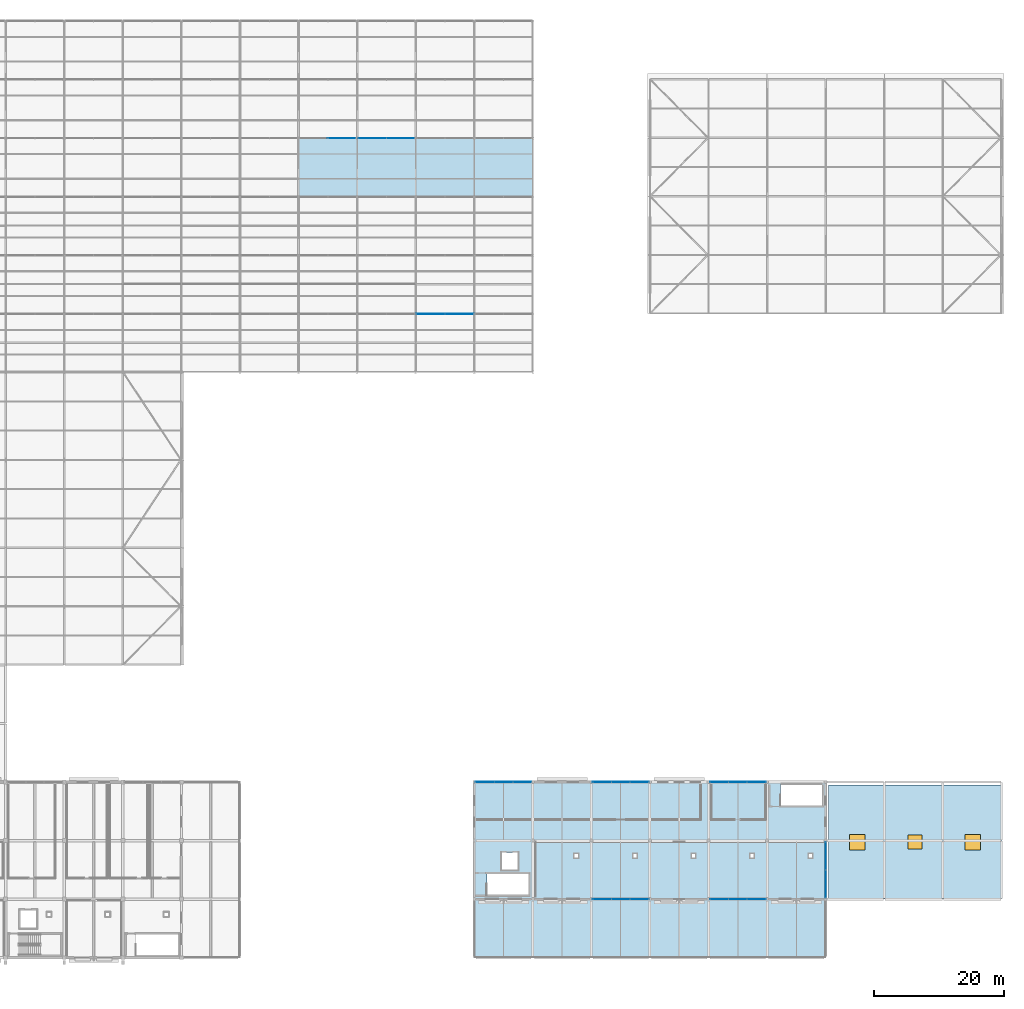
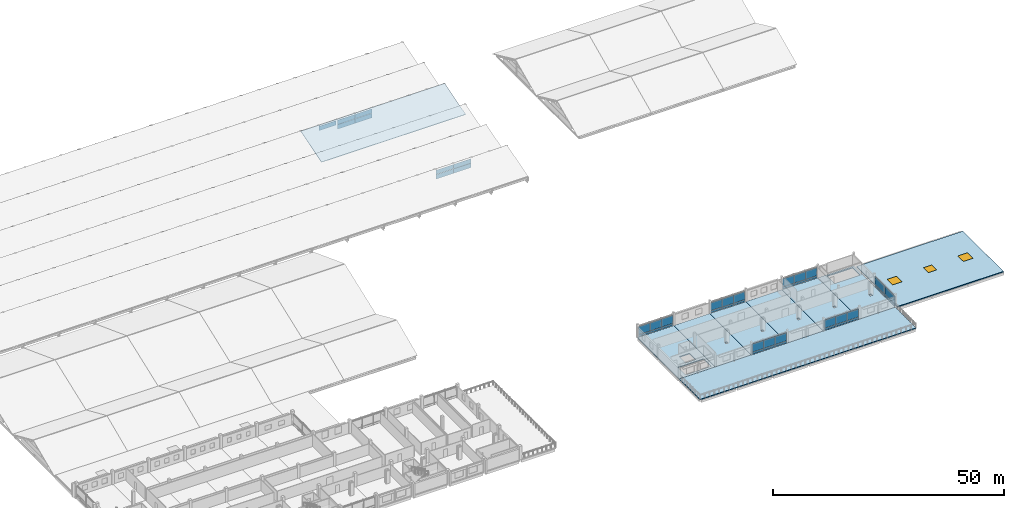
# One storey, part 113 of 163: 43 plates, 9 slabs, 3 windows, 3 openings, 9 elements without a shape of their own.
"""IFC4 building model written with IfcOpenShell, lengths in metres."""

from ifc_helpers import new_model, si_unit, direction, frame, origin, origin_2d, place, context, subcontext, project, spatial, polyline, rectangle, outline, extrude, material, layer, layer_set, type_object, element, fill, aggregate, save


model = new_model("IFC4")

# Units and contexts
model_context = context("Model", 3, precision=1e-05, world=origin(), true_north=direction((0.0, 1.0)))
body_context = subcontext(model_context, "Body", "Model", "MODEL_VIEW")
ifc_project = project(units=[si_unit("LENGTHUNIT", "METRE"), si_unit("AREAUNIT", "SQUARE_METRE"), si_unit("VOLUMEUNIT", "CUBIC_METRE"), si_unit("PLANEANGLEUNIT", "RADIAN"), si_unit("MASSUNIT", "GRAM", prefix="KILO")], contexts=[model_context])

# Site, building, storey
site_placement = place(None, origin())
site = spatial("IfcSite", under=ifc_project, at=site_placement, CompositionType="ELEMENT")
building_placement = place(site_placement, origin())
building = spatial("IfcBuilding", under=site, at=building_placement, Name="Tharagai Park Tramway Depot", CompositionType="ELEMENT")
storey_placement = place(building_placement, frame((0.0, 0.0, 8.39990234375)))
storey = spatial("IfcBuildingStorey", under=building, at=storey_placement, Name="L02", CompositionType="ELEMENT", Elevation=8.39990234375)

# Curtain wall, plates
ifc_material_1 = material(Name="Anodised aluminium", Category="aluminium")
curtain_wall_type_1 = type_object("IfcCurtainWallType", Name="CW-02", PredefinedType="NOTDEFINED", material=ifc_material_1)
curtain_wall_1_placement = place(storey_placement, origin())
curtain_wall_1 = element("IfcCurtainWall", 1, at=curtain_wall_1_placement, inside=storey, type_object=curtain_wall_type_1, Name="L02 V5 Gothic Mullioned Curtain Wall CW-02", PredefinedType="NOTDEFINED")
ifc_layer_1 = layer(ifc_material_1, 0.0400390625)
ifc_layer_set_1 = layer_set([ifc_layer_1], Name="Anodised aluminium")
plate_type_1 = type_object("IfcPlateType", Name="CP-01", PredefinedType="CURTAIN_PANEL", material=ifc_layer_set_1)
plate_1_placement = place(storey_placement, frame((154.643310546875, 9.0, 0.080078125), z_axis=(0.0, 0.0, 1.0), x_axis=(1.0, 0.0, 0.0)))
plate_1 = element("IfcPlate", 2, at=plate_1_placement, type_object=plate_type_1, Name="L02 V5 Gothic Mullioned Curtain Wall Spandrel Panel 1.1", PredefinedType="CURTAIN_PANEL", context=body_context, shape_type="SweptSolid", body=[
    extrude(rectangle(XDim=2.836669921875, YDim=0.0400390625, at=origin_2d()), origin(), (0.0, 0.0, 1.0), 0.550048828125),
])
plate_2_placement = place(storey_placement, frame((157.5, 9.0, 0.080078125), z_axis=(0.0, 0.0, 1.0), x_axis=(1.0, 0.0, 0.0)))
plate_2 = element("IfcPlate", 3, at=plate_2_placement, type_object=plate_type_1, Name="L02 V5 Gothic Mullioned Curtain Wall Spandrel Panel 2.1", PredefinedType="CURTAIN_PANEL", context=body_context, shape_type="SweptSolid", body=[
    extrude(rectangle(XDim=2.836669921875, YDim=0.0400390625, at=origin_2d()), origin(), (0.0, 0.0, 1.0), 0.550048828125),
])
plate_3_placement = place(storey_placement, frame((160.356689453125, 9.0, 0.080078125), z_axis=(0.0, 0.0, 1.0), x_axis=(1.0, 0.0, 0.0)))
plate_3 = element("IfcPlate", 4, at=plate_3_placement, type_object=plate_type_1, Name="L02 V5 Gothic Mullioned Curtain Wall Spandrel Panel 3.1", PredefinedType="CURTAIN_PANEL", context=body_context, shape_type="SweptSolid", body=[
    extrude(rectangle(XDim=2.836669921875, YDim=0.0400390625, at=origin_2d()), origin(), (0.0, 0.0, 1.0), 0.550048828125),
])

curtain_wall_2_placement = place(storey_placement, origin())
curtain_wall_2 = element("IfcCurtainWall", 5, at=curtain_wall_2_placement, inside=storey, type_object=curtain_wall_type_1, Name="L02 V5 Gothic Mullioned Curtain Wall CW-02", PredefinedType="NOTDEFINED")
plate_4_placement = place(storey_placement, frame((172.643310546875, 9.0, 0.080078125), z_axis=(0.0, 0.0, 1.0), x_axis=(1.0, 0.0, 0.0)))
plate_4 = element("IfcPlate", 6, at=plate_4_placement, type_object=plate_type_1, Name="L02 V5 Gothic Mullioned Curtain Wall Spandrel Panel 1.1", PredefinedType="CURTAIN_PANEL", context=body_context, shape_type="SweptSolid", body=[
    extrude(rectangle(XDim=2.836669921875, YDim=0.0400390625, at=origin_2d()), origin(), (0.0, 0.0, 1.0), 0.550048828125),
])
plate_5_placement = place(storey_placement, frame((175.5, 9.0, 0.080078125), z_axis=(0.0, 0.0, 1.0), x_axis=(1.0, 0.0, 0.0)))
plate_5 = element("IfcPlate", 7, at=plate_5_placement, type_object=plate_type_1, Name="L02 V5 Gothic Mullioned Curtain Wall Spandrel Panel 2.1", PredefinedType="CURTAIN_PANEL", context=body_context, shape_type="SweptSolid", body=[
    extrude(rectangle(XDim=2.836669921875, YDim=0.0400390625, at=origin_2d()), origin(), (0.0, 0.0, 1.0), 0.550048828125),
])
plate_6_placement = place(storey_placement, frame((178.356689453125, 9.0, 0.080078125), z_axis=(0.0, 0.0, 1.0), x_axis=(1.0, 0.0, 0.0)))
plate_6 = element("IfcPlate", 8, at=plate_6_placement, type_object=plate_type_1, Name="L02 V5 Gothic Mullioned Curtain Wall Spandrel Panel 3.1", PredefinedType="CURTAIN_PANEL", context=body_context, shape_type="SweptSolid", body=[
    extrude(rectangle(XDim=2.836669921875, YDim=0.0400390625, at=origin_2d()), origin(), (0.0, 0.0, 1.0), 0.550048828125),
])

curtain_wall_3_placement = place(storey_placement, origin())
curtain_wall_3 = element("IfcCurtainWall", 9, at=curtain_wall_3_placement, inside=storey, type_object=curtain_wall_type_1, Name="L02 V5 Gothic Mullioned Curtain Wall CW-02", PredefinedType="NOTDEFINED")
plate_7_placement = place(storey_placement, frame((136.643310546875, 27.0, 0.080078125), z_axis=(0.0, 0.0, 1.0), x_axis=(1.0, 0.0, 0.0)))
plate_7 = element("IfcPlate", 10, at=plate_7_placement, type_object=plate_type_1, Name="L02 V5 Gothic Mullioned Curtain Wall Spandrel Panel 1.1", PredefinedType="CURTAIN_PANEL", context=body_context, shape_type="SweptSolid", body=[
    extrude(rectangle(XDim=2.836669921875, YDim=0.0400390625, at=origin_2d()), origin(), (0.0, 0.0, 1.0), 0.550048828125),
])
plate_8_placement = place(storey_placement, frame((139.5, 27.0, 0.080078125), z_axis=(0.0, 0.0, 1.0), x_axis=(1.0, 0.0, 0.0)))
plate_8 = element("IfcPlate", 11, at=plate_8_placement, type_object=plate_type_1, Name="L02 V5 Gothic Mullioned Curtain Wall Spandrel Panel 2.1", PredefinedType="CURTAIN_PANEL", context=body_context, shape_type="SweptSolid", body=[
    extrude(rectangle(XDim=2.836669921875, YDim=0.0400390625, at=origin_2d()), origin(), (0.0, 0.0, 1.0), 0.550048828125),
])
plate_9_placement = place(storey_placement, frame((142.356689453125, 27.0, 0.080078125), z_axis=(0.0, 0.0, 1.0), x_axis=(1.0, 0.0, 0.0)))
plate_9 = element("IfcPlate", 12, at=plate_9_placement, type_object=plate_type_1, Name="L02 V5 Gothic Mullioned Curtain Wall Spandrel Panel 3.1", PredefinedType="CURTAIN_PANEL", context=body_context, shape_type="SweptSolid", body=[
    extrude(rectangle(XDim=2.836669921875, YDim=0.0400390625, at=origin_2d()), origin(), (0.0, 0.0, 1.0), 0.550048828125),
])

curtain_wall_4_placement = place(storey_placement, origin())
curtain_wall_4 = element("IfcCurtainWall", 13, at=curtain_wall_4_placement, inside=storey, type_object=curtain_wall_type_1, Name="L02 V5 Gothic Mullioned Curtain Wall CW-02", PredefinedType="NOTDEFINED")
plate_10_placement = place(storey_placement, frame((154.643310546875, 27.0, 0.080078125), z_axis=(0.0, 0.0, 1.0), x_axis=(1.0, 0.0, 0.0)))
plate_10 = element("IfcPlate", 14, at=plate_10_placement, type_object=plate_type_1, Name="L02 V5 Gothic Mullioned Curtain Wall Spandrel Panel 1.1", PredefinedType="CURTAIN_PANEL", context=body_context, shape_type="SweptSolid", body=[
    extrude(rectangle(XDim=2.836669921875, YDim=0.0400390625, at=origin_2d()), origin(), (0.0, 0.0, 1.0), 0.550048828125),
])
plate_11_placement = place(storey_placement, frame((157.5, 27.0, 0.080078125), z_axis=(0.0, 0.0, 1.0), x_axis=(1.0, 0.0, 0.0)))
plate_11 = element("IfcPlate", 15, at=plate_11_placement, type_object=plate_type_1, Name="L02 V5 Gothic Mullioned Curtain Wall Spandrel Panel 2.1", PredefinedType="CURTAIN_PANEL", context=body_context, shape_type="SweptSolid", body=[
    extrude(rectangle(XDim=2.836669921875, YDim=0.0400390625, at=origin_2d()), origin(), (0.0, 0.0, 1.0), 0.550048828125),
])
plate_12_placement = place(storey_placement, frame((160.356689453125, 27.0, 0.080078125), z_axis=(0.0, 0.0, 1.0), x_axis=(1.0, 0.0, 0.0)))
plate_12 = element("IfcPlate", 16, at=plate_12_placement, type_object=plate_type_1, Name="L02 V5 Gothic Mullioned Curtain Wall Spandrel Panel 3.1", PredefinedType="CURTAIN_PANEL", context=body_context, shape_type="SweptSolid", body=[
    extrude(rectangle(XDim=2.836669921875, YDim=0.0400390625, at=origin_2d()), origin(), (0.0, 0.0, 1.0), 0.550048828125),
])

curtain_wall_5_placement = place(storey_placement, origin())
curtain_wall_5 = element("IfcCurtainWall", 17, at=curtain_wall_5_placement, inside=storey, type_object=curtain_wall_type_1, Name="L02 V5 Gothic Mullioned Curtain Wall CW-02", PredefinedType="NOTDEFINED")
plate_13_placement = place(storey_placement, frame((172.643310546875, 27.0, 0.080078125), z_axis=(0.0, 0.0, 1.0), x_axis=(1.0, 0.0, 0.0)))
plate_13 = element("IfcPlate", 18, at=plate_13_placement, type_object=plate_type_1, Name="L02 V5 Gothic Mullioned Curtain Wall Spandrel Panel 1.1", PredefinedType="CURTAIN_PANEL", context=body_context, shape_type="SweptSolid", body=[
    extrude(rectangle(XDim=2.836669921875, YDim=0.0400390625, at=origin_2d()), origin(), (0.0, 0.0, 1.0), 0.550048828125),
])
plate_14_placement = place(storey_placement, frame((175.5, 27.0, 0.080078125), z_axis=(0.0, 0.0, 1.0), x_axis=(1.0, 0.0, 0.0)))
plate_14 = element("IfcPlate", 19, at=plate_14_placement, type_object=plate_type_1, Name="L02 V5 Gothic Mullioned Curtain Wall Spandrel Panel 2.1", PredefinedType="CURTAIN_PANEL", context=body_context, shape_type="SweptSolid", body=[
    extrude(rectangle(XDim=2.836669921875, YDim=0.0400390625, at=origin_2d()), origin(), (0.0, 0.0, 1.0), 0.550048828125),
])
plate_15_placement = place(storey_placement, frame((178.356689453125, 27.0, 0.080078125), z_axis=(0.0, 0.0, 1.0), x_axis=(1.0, 0.0, 0.0)))
plate_15 = element("IfcPlate", 20, at=plate_15_placement, type_object=plate_type_1, Name="L02 V5 Gothic Mullioned Curtain Wall Spandrel Panel 3.1", PredefinedType="CURTAIN_PANEL", context=body_context, shape_type="SweptSolid", body=[
    extrude(rectangle(XDim=2.836669921875, YDim=0.0400390625, at=origin_2d()), origin(), (0.0, 0.0, 1.0), 0.550048828125),
])

curtain_wall_type_2 = type_object("IfcCurtainWallType", Name="CW-07", PredefinedType="NOTDEFINED", material=ifc_material_1)
curtain_wall_6_placement = place(storey_placement, origin())
curtain_wall_6 = element("IfcCurtainWall", 21, at=curtain_wall_6_placement, inside=storey, type_object=curtain_wall_type_2, Name="L02 V5 Side Mullioned Curtain Wall CW-07", PredefinedType="NOTDEFINED")
plate_16_placement = place(storey_placement, frame((189.0, 11.357421875, 0.080078125), z_axis=(0.0, 0.0, 1.0), x_axis=(0.0, 1.0, 0.0)))
plate_16 = element("IfcPlate", 22, at=plate_16_placement, type_object=plate_type_1, Name="L02 V5 Side Mullioned Curtain Wall Spandrel Panel 1.1", PredefinedType="CURTAIN_PANEL", context=body_context, shape_type="SweptSolid", body=[
    extrude(rectangle(XDim=4.264892578125, YDim=0.0400390625, at=origin_2d()), origin(), (0.0, 0.0, 1.0), 0.550048828125),
])
plate_17_placement = place(storey_placement, frame((189.0, 15.642578125, 0.080078125), z_axis=(0.0, 0.0, 1.0), x_axis=(0.0, 1.0, 0.0)))
plate_17 = element("IfcPlate", 23, at=plate_17_placement, type_object=plate_type_1, Name="L02 V5 Side Mullioned Curtain Wall Spandrel Panel 2.1", PredefinedType="CURTAIN_PANEL", context=body_context, shape_type="SweptSolid", body=[
    extrude(rectangle(XDim=4.264892578125, YDim=0.0400390625, at=origin_2d()), origin(), (0.0, 0.0, 1.0), 0.550048828125),
])

curtain_wall_type_3 = type_object("IfcCurtainWallType", Name="CW-04", PredefinedType="NOTDEFINED", material=ifc_material_1)
curtain_wall_7_placement = place(storey_placement, origin())
curtain_wall_7 = element("IfcCurtainWall", 24, at=curtain_wall_7_placement, inside=storey, type_object=curtain_wall_type_3, Name="Sawtooth North-Light Clerestory CW-04", PredefinedType="NOTDEFINED")
ifc_material_2 = material(Name="Laminated solar-control glass", Category="glass")
ifc_layer_2 = layer(ifc_material_2, 0.028076171875)
ifc_layer_set_2 = layer_set([ifc_layer_2], Name="Laminated solar-control glass")
plate_type_2 = type_object("IfcPlateType", Name="CP-02", PredefinedType="CURTAIN_PANEL", material=ifc_layer_set_2)
plate_18_placement = place(storey_placement, frame((128.300048828125, 98.919921875, 1.28515625), z_axis=(0.0, 0.0, 1.0), x_axis=(1.0, 0.0, 0.0)))
plate_18 = element("IfcPlate", 25, at=plate_18_placement, type_object=plate_type_2, Name="Sawtooth North-Light Clerestory Glazed Panel 1.1", PredefinedType="CURTAIN_PANEL", context=body_context, shape_type="SweptSolid", body=[
    extrude(rectangle(XDim=4.3798828125, YDim=0.028076171875, at=origin_2d()), origin(), (0.0, 0.0, 1.0), 1.168701171875),
])
plate_19_placement = place(storey_placement, frame((128.300048828125, 98.919921875, 2.49365234375), z_axis=(0.0, 0.0, 1.0), x_axis=(1.0, 0.0, 0.0)))
plate_19 = element("IfcPlate", 26, at=plate_19_placement, type_object=plate_type_2, Name="Sawtooth North-Light Clerestory Glazed Panel 1.2", PredefinedType="CURTAIN_PANEL", context=body_context, shape_type="SweptSolid", body=[
    extrude(rectangle(XDim=4.3798828125, YDim=0.028076171875, at=origin_2d()), origin(), (0.0, 0.0, 1.0), 1.148681640625),
])
plate_20_placement = place(storey_placement, frame((132.699951171875, 98.919921875, 1.28515625), z_axis=(0.0, 0.0, 1.0), x_axis=(1.0, 0.0, 0.0)))
plate_20 = element("IfcPlate", 27, at=plate_20_placement, type_object=plate_type_2, Name="Sawtooth North-Light Clerestory Glazed Panel 2.1", PredefinedType="CURTAIN_PANEL", context=body_context, shape_type="SweptSolid", body=[
    extrude(rectangle(XDim=4.3798828125, YDim=0.028076171875, at=origin_2d()), origin(), (0.0, 0.0, 1.0), 1.168701171875),
])
plate_21_placement = place(storey_placement, frame((132.699951171875, 98.919921875, 2.49365234375), z_axis=(0.0, 0.0, 1.0), x_axis=(1.0, 0.0, 0.0)))
plate_21 = element("IfcPlate", 28, at=plate_21_placement, type_object=plate_type_2, Name="Sawtooth North-Light Clerestory Glazed Panel 2.2", PredefinedType="CURTAIN_PANEL", context=body_context, shape_type="SweptSolid", body=[
    extrude(rectangle(XDim=4.3798828125, YDim=0.028076171875, at=origin_2d()), origin(), (0.0, 0.0, 1.0), 1.148681640625),
])
aggregate(curtain_wall_7, [plate_18, plate_19, plate_20, plate_21])

# Curtain wall, plate
curtain_wall_type_4 = type_object("IfcCurtainWallType", Name="CW-03", PredefinedType="NOTDEFINED", material=ifc_material_1)
curtain_wall_8_placement = place(storey_placement, origin())
curtain_wall_8 = element("IfcCurtainWall", 29, at=curtain_wall_8_placement, inside=storey, type_object=curtain_wall_type_4, Name="Sawtooth North-Light Clerestory CW-03", PredefinedType="NOTDEFINED")
plate_22_placement = place(storey_placement, frame((114.659912109375, 125.919921875, 2.49365234375), z_axis=(0.0, 0.0, 1.0), x_axis=(1.0, 0.0, 0.0)))
plate_22 = element("IfcPlate", 30, at=plate_22_placement, type_object=plate_type_2, Name="Sawtooth North-Light Clerestory Glazed Panel 2.2", PredefinedType="CURTAIN_PANEL", context=body_context, shape_type="SweptSolid", body=[
    extrude(rectangle(XDim=4.300048828125, YDim=0.028076171875, at=origin_2d()), origin(), (0.0, 0.0, 1.0), 1.148681640625),
])
aggregate(curtain_wall_8, [plate_22])

# Curtain wall, plates
curtain_wall_9_placement = place(storey_placement, origin())
curtain_wall_9 = element("IfcCurtainWall", 31, at=curtain_wall_9_placement, inside=storey, type_object=curtain_wall_type_4, Name="Sawtooth North-Light Clerestory CW-03", PredefinedType="NOTDEFINED")
plate_23_placement = place(storey_placement, frame((119.340087890625, 125.919921875, 1.28515625), z_axis=(0.0, 0.0, 1.0), x_axis=(1.0, 0.0, 0.0)))
plate_23 = element("IfcPlate", 32, at=plate_23_placement, type_object=plate_type_2, Name="Sawtooth North-Light Clerestory Glazed Panel 1.1", PredefinedType="CURTAIN_PANEL", context=body_context, shape_type="SweptSolid", body=[
    extrude(rectangle(XDim=4.300048828125, YDim=0.028076171875, at=origin_2d()), origin(), (0.0, 0.0, 1.0), 1.168701171875),
])
plate_24_placement = place(storey_placement, frame((119.340087890625, 125.919921875, 2.49365234375), z_axis=(0.0, 0.0, 1.0), x_axis=(1.0, 0.0, 0.0)))
plate_24 = element("IfcPlate", 33, at=plate_24_placement, type_object=plate_type_2, Name="Sawtooth North-Light Clerestory Glazed Panel 1.2", PredefinedType="CURTAIN_PANEL", context=body_context, shape_type="SweptSolid", body=[
    extrude(rectangle(XDim=4.300048828125, YDim=0.028076171875, at=origin_2d()), origin(), (0.0, 0.0, 1.0), 1.148681640625),
])
plate_25_placement = place(storey_placement, frame((123.659912109375, 125.919921875, 1.28515625), z_axis=(0.0, 0.0, 1.0), x_axis=(1.0, 0.0, 0.0)))
plate_25 = element("IfcPlate", 34, at=plate_25_placement, type_object=plate_type_2, Name="Sawtooth North-Light Clerestory Glazed Panel 2.1", PredefinedType="CURTAIN_PANEL", context=body_context, shape_type="SweptSolid", body=[
    extrude(rectangle(XDim=4.300048828125, YDim=0.028076171875, at=origin_2d()), origin(), (0.0, 0.0, 1.0), 1.168701171875),
])
plate_26_placement = place(storey_placement, frame((123.659912109375, 125.919921875, 2.49365234375), z_axis=(0.0, 0.0, 1.0), x_axis=(1.0, 0.0, 0.0)))
plate_26 = element("IfcPlate", 35, at=plate_26_placement, type_object=plate_type_2, Name="Sawtooth North-Light Clerestory Glazed Panel 2.2", PredefinedType="CURTAIN_PANEL", context=body_context, shape_type="SweptSolid", body=[
    extrude(rectangle(XDim=4.300048828125, YDim=0.028076171875, at=origin_2d()), origin(), (0.0, 0.0, 1.0), 1.148681640625),
])
aggregate(curtain_wall_9, [plate_23, plate_24, plate_25, plate_26])

# Plate
plate_27_placement = place(storey_placement, frame((154.643310546875, 9.0, 0.670166015625), z_axis=(0.0, 0.0, 1.0), x_axis=(1.0, 0.0, 0.0)))
plate_27 = element("IfcPlate", 36, at=plate_27_placement, type_object=plate_type_2, Name="L02 V5 Gothic Mullioned Curtain Wall Glazed Panel 1.2", PredefinedType="CURTAIN_PANEL", context=body_context, shape_type="SweptSolid", body=[
    extrude(rectangle(XDim=2.836669921875, YDim=0.028076171875, at=origin_2d()), origin(), (0.0, 0.0, 1.0), 2.1298828125),
])

plate_28_placement = place(storey_placement, frame((157.5, 9.0, 0.670166015625), z_axis=(0.0, 0.0, 1.0), x_axis=(1.0, 0.0, 0.0)))
plate_28 = element("IfcPlate", 37, at=plate_28_placement, type_object=plate_type_2, Name="L02 V5 Gothic Mullioned Curtain Wall Glazed Panel 2.2", PredefinedType="CURTAIN_PANEL", context=body_context, shape_type="SweptSolid", body=[
    extrude(rectangle(XDim=2.836669921875, YDim=0.028076171875, at=origin_2d()), origin(), (0.0, 0.0, 1.0), 2.1298828125),
])

plate_29_placement = place(storey_placement, frame((160.356689453125, 9.0, 0.670166015625), z_axis=(0.0, 0.0, 1.0), x_axis=(1.0, 0.0, 0.0)))
plate_29 = element("IfcPlate", 38, at=plate_29_placement, type_object=plate_type_2, Name="L02 V5 Gothic Mullioned Curtain Wall Glazed Panel 3.2", PredefinedType="CURTAIN_PANEL", context=body_context, shape_type="SweptSolid", body=[
    extrude(rectangle(XDim=2.836669921875, YDim=0.028076171875, at=origin_2d()), origin(), (0.0, 0.0, 1.0), 2.1298828125),
])

aggregate(curtain_wall_1, [plate_1, plate_27, plate_2, plate_28, plate_3, plate_29])

plate_30_placement = place(storey_placement, frame((172.643310546875, 9.0, 0.670166015625), z_axis=(0.0, 0.0, 1.0), x_axis=(1.0, 0.0, 0.0)))
plate_30 = element("IfcPlate", 39, at=plate_30_placement, type_object=plate_type_2, Name="L02 V5 Gothic Mullioned Curtain Wall Glazed Panel 1.2", PredefinedType="CURTAIN_PANEL", context=body_context, shape_type="SweptSolid", body=[
    extrude(rectangle(XDim=2.836669921875, YDim=0.028076171875, at=origin_2d()), origin(), (0.0, 0.0, 1.0), 2.1298828125),
])

plate_31_placement = place(storey_placement, frame((175.5, 9.0, 0.670166015625), z_axis=(0.0, 0.0, 1.0), x_axis=(1.0, 0.0, 0.0)))
plate_31 = element("IfcPlate", 40, at=plate_31_placement, type_object=plate_type_2, Name="L02 V5 Gothic Mullioned Curtain Wall Glazed Panel 2.2", PredefinedType="CURTAIN_PANEL", context=body_context, shape_type="SweptSolid", body=[
    extrude(rectangle(XDim=2.836669921875, YDim=0.028076171875, at=origin_2d()), origin(), (0.0, 0.0, 1.0), 2.1298828125),
])

plate_32_placement = place(storey_placement, frame((178.356689453125, 9.0, 0.670166015625), z_axis=(0.0, 0.0, 1.0), x_axis=(1.0, 0.0, 0.0)))
plate_32 = element("IfcPlate", 41, at=plate_32_placement, type_object=plate_type_2, Name="L02 V5 Gothic Mullioned Curtain Wall Glazed Panel 3.2", PredefinedType="CURTAIN_PANEL", context=body_context, shape_type="SweptSolid", body=[
    extrude(rectangle(XDim=2.836669921875, YDim=0.028076171875, at=origin_2d()), origin(), (0.0, 0.0, 1.0), 2.1298828125),
])

aggregate(curtain_wall_2, [plate_4, plate_30, plate_5, plate_31, plate_6, plate_32])

plate_33_placement = place(storey_placement, frame((136.643310546875, 27.0, 0.670166015625), z_axis=(0.0, 0.0, 1.0), x_axis=(1.0, 0.0, 0.0)))
plate_33 = element("IfcPlate", 42, at=plate_33_placement, type_object=plate_type_2, Name="L02 V5 Gothic Mullioned Curtain Wall Glazed Panel 1.2", PredefinedType="CURTAIN_PANEL", context=body_context, shape_type="SweptSolid", body=[
    extrude(rectangle(XDim=2.836669921875, YDim=0.028076171875, at=origin_2d()), origin(), (0.0, 0.0, 1.0), 2.1298828125),
])

plate_34_placement = place(storey_placement, frame((139.5, 27.0, 0.670166015625), z_axis=(0.0, 0.0, 1.0), x_axis=(1.0, 0.0, 0.0)))
plate_34 = element("IfcPlate", 43, at=plate_34_placement, type_object=plate_type_2, Name="L02 V5 Gothic Mullioned Curtain Wall Glazed Panel 2.2", PredefinedType="CURTAIN_PANEL", context=body_context, shape_type="SweptSolid", body=[
    extrude(rectangle(XDim=2.836669921875, YDim=0.028076171875, at=origin_2d()), origin(), (0.0, 0.0, 1.0), 2.1298828125),
])

plate_35_placement = place(storey_placement, frame((142.356689453125, 27.0, 0.670166015625), z_axis=(0.0, 0.0, 1.0), x_axis=(1.0, 0.0, 0.0)))
plate_35 = element("IfcPlate", 44, at=plate_35_placement, type_object=plate_type_2, Name="L02 V5 Gothic Mullioned Curtain Wall Glazed Panel 3.2", PredefinedType="CURTAIN_PANEL", context=body_context, shape_type="SweptSolid", body=[
    extrude(rectangle(XDim=2.836669921875, YDim=0.028076171875, at=origin_2d()), origin(), (0.0, 0.0, 1.0), 2.1298828125),
])

aggregate(curtain_wall_3, [plate_7, plate_33, plate_8, plate_34, plate_9, plate_35])

plate_36_placement = place(storey_placement, frame((154.643310546875, 27.0, 0.670166015625), z_axis=(0.0, 0.0, 1.0), x_axis=(1.0, 0.0, 0.0)))
plate_36 = element("IfcPlate", 45, at=plate_36_placement, type_object=plate_type_2, Name="L02 V5 Gothic Mullioned Curtain Wall Glazed Panel 1.2", PredefinedType="CURTAIN_PANEL", context=body_context, shape_type="SweptSolid", body=[
    extrude(rectangle(XDim=2.836669921875, YDim=0.028076171875, at=origin_2d()), origin(), (0.0, 0.0, 1.0), 2.1298828125),
])

plate_37_placement = place(storey_placement, frame((157.5, 27.0, 0.670166015625), z_axis=(0.0, 0.0, 1.0), x_axis=(1.0, 0.0, 0.0)))
plate_37 = element("IfcPlate", 46, at=plate_37_placement, type_object=plate_type_2, Name="L02 V5 Gothic Mullioned Curtain Wall Glazed Panel 2.2", PredefinedType="CURTAIN_PANEL", context=body_context, shape_type="SweptSolid", body=[
    extrude(rectangle(XDim=2.836669921875, YDim=0.028076171875, at=origin_2d()), origin(), (0.0, 0.0, 1.0), 2.1298828125),
])

plate_38_placement = place(storey_placement, frame((160.356689453125, 27.0, 0.670166015625), z_axis=(0.0, 0.0, 1.0), x_axis=(1.0, 0.0, 0.0)))
plate_38 = element("IfcPlate", 47, at=plate_38_placement, type_object=plate_type_2, Name="L02 V5 Gothic Mullioned Curtain Wall Glazed Panel 3.2", PredefinedType="CURTAIN_PANEL", context=body_context, shape_type="SweptSolid", body=[
    extrude(rectangle(XDim=2.836669921875, YDim=0.028076171875, at=origin_2d()), origin(), (0.0, 0.0, 1.0), 2.1298828125),
])

aggregate(curtain_wall_4, [plate_10, plate_36, plate_11, plate_37, plate_12, plate_38])

plate_39_placement = place(storey_placement, frame((172.643310546875, 27.0, 0.670166015625), z_axis=(0.0, 0.0, 1.0), x_axis=(1.0, 0.0, 0.0)))
plate_39 = element("IfcPlate", 48, at=plate_39_placement, type_object=plate_type_2, Name="L02 V5 Gothic Mullioned Curtain Wall Glazed Panel 1.2", PredefinedType="CURTAIN_PANEL", context=body_context, shape_type="SweptSolid", body=[
    extrude(rectangle(XDim=2.836669921875, YDim=0.028076171875, at=origin_2d()), origin(), (0.0, 0.0, 1.0), 2.1298828125),
])

plate_40_placement = place(storey_placement, frame((175.5, 27.0, 0.670166015625), z_axis=(0.0, 0.0, 1.0), x_axis=(1.0, 0.0, 0.0)))
plate_40 = element("IfcPlate", 49, at=plate_40_placement, type_object=plate_type_2, Name="L02 V5 Gothic Mullioned Curtain Wall Glazed Panel 2.2", PredefinedType="CURTAIN_PANEL", context=body_context, shape_type="SweptSolid", body=[
    extrude(rectangle(XDim=2.836669921875, YDim=0.028076171875, at=origin_2d()), origin(), (0.0, 0.0, 1.0), 2.1298828125),
])

plate_41_placement = place(storey_placement, frame((178.356689453125, 27.0, 0.670166015625), z_axis=(0.0, 0.0, 1.0), x_axis=(1.0, 0.0, 0.0)))
plate_41 = element("IfcPlate", 50, at=plate_41_placement, type_object=plate_type_2, Name="L02 V5 Gothic Mullioned Curtain Wall Glazed Panel 3.2", PredefinedType="CURTAIN_PANEL", context=body_context, shape_type="SweptSolid", body=[
    extrude(rectangle(XDim=2.836669921875, YDim=0.028076171875, at=origin_2d()), origin(), (0.0, 0.0, 1.0), 2.1298828125),
])

aggregate(curtain_wall_5, [plate_13, plate_39, plate_14, plate_40, plate_15, plate_41])

plate_42_placement = place(storey_placement, frame((189.0, 11.357421875, 0.670166015625), z_axis=(0.0, 0.0, 1.0), x_axis=(0.0, 1.0, 0.0)))
plate_42 = element("IfcPlate", 51, at=plate_42_placement, type_object=plate_type_2, Name="L02 V5 Side Mullioned Curtain Wall Glazed Panel 1.2", PredefinedType="CURTAIN_PANEL", context=body_context, shape_type="SweptSolid", body=[
    extrude(rectangle(XDim=4.264892578125, YDim=0.028076171875, at=origin_2d()), origin(), (0.0, 0.0, 1.0), 2.1298828125),
])

plate_43_placement = place(storey_placement, frame((189.0, 15.642578125, 0.670166015625), z_axis=(0.0, 0.0, 1.0), x_axis=(0.0, 1.0, 0.0)))
plate_43 = element("IfcPlate", 52, at=plate_43_placement, type_object=plate_type_2, Name="L02 V5 Side Mullioned Curtain Wall Glazed Panel 2.2", PredefinedType="CURTAIN_PANEL", context=body_context, shape_type="SweptSolid", body=[
    extrude(rectangle(XDim=4.264892578125, YDim=0.028076171875, at=origin_2d()), origin(), (0.0, 0.0, 1.0), 2.1298828125),
])

aggregate(curtain_wall_6, [plate_16, plate_42, plate_17, plate_43])

# Slab, openings, windows
ifc_material_3 = material(Name="Concrete M35", Category="concrete")
ifc_layer_3 = layer(ifc_material_3, 0.239990234375)
ifc_layer_set_3 = layer_set([ifc_layer_3], Name="Concrete M35")
slab_type_1 = type_object("IfcSlabType", Name="RS-03", PredefinedType="ROOF", material=ifc_layer_set_3)
slab_1_placement = place(storey_placement, frame((0.0, 0.0, -0.239990234375)))
slab_1 = element("IfcSlab", 53, at=slab_1_placement, inside=storey, type_object=slab_type_1, Name="L02 V5 Flat Roof Slab", PredefinedType="ROOF", context=body_context, shape_type="SweptSolid", body=[
    extrude(outline(polyline([(189.449951171875, 9.0), (216.0, 9.0), (216.0, 26.550048828125), (189.449951171875, 26.550048828125), (189.449951171875, 9.0)])), origin(), (0.0, 0.0, 1.0), 0.239990234375),
])
opening_1_placement = place(slab_1_placement, frame((193.875, 17.77490234375, -0.010009765625)))
opening_1 = element("IfcOpeningElement", 54, at=opening_1_placement, cuts=slab_1, Name="Opening SK-03", PredefinedType="OPENING", context=body_context, shape_type="SweptSolid", body=[
    extrude(rectangle(XDim=2.39990234375, YDim=2.39990234375, at=origin_2d()), origin(), (0.0, 0.0, 1.0), 0.260009765625),
])
opening_2_placement = place(slab_1_placement, frame((202.72509765625, 17.77490234375, -0.010009765625)))
opening_2 = element("IfcOpeningElement", 55, at=opening_2_placement, cuts=slab_1, Name="Opening SK-01", PredefinedType="OPENING", context=body_context, shape_type="SweptSolid", body=[
    extrude(rectangle(XDim=2.10009765625, YDim=2.10009765625, at=origin_2d()), origin(), (0.0, 0.0, 1.0), 0.260009765625),
])
opening_3_placement = place(slab_1_placement, frame((211.574951171875, 17.77490234375, -0.010009765625)))
opening_3 = element("IfcOpeningElement", 56, at=opening_3_placement, cuts=slab_1, Name="Opening SK-03", PredefinedType="OPENING", context=body_context, shape_type="SweptSolid", body=[
    extrude(rectangle(XDim=2.39990234375, YDim=2.39990234375, at=origin_2d()), origin(), (0.0, 0.0, 1.0), 0.260009765625),
])
window_type_1 = type_object("IfcWindowType", Name="SK-01", PartitioningType="SINGLE_PANEL", PredefinedType="SKYLIGHT", material=ifc_material_2)
window_1_placement = place(opening_2_placement, frame((0.0, 0.0, 0.199951171875)))
window_1 = element("IfcWindow", 57, at=window_1_placement, inside=storey, type_object=window_type_1, Name="Roof Skylight SK-01 #2", OverallHeight=2.10009765625, OverallWidth=2.10009765625, PartitioningType="SINGLE_PANEL", PredefinedType="SKYLIGHT", context=body_context, shape_type="SweptSolid", body=[
    extrude(rectangle(XDim=2.10009765625, YDim=2.10009765625, at=origin_2d()), origin(), (0.0, 0.0, 1.0), 0.050048828125),
])
fill(opening_2, window_1)
window_type_2 = type_object("IfcWindowType", Name="SK-03", PartitioningType="SINGLE_PANEL", PredefinedType="SKYLIGHT", material=ifc_material_2)
window_2_placement = place(opening_1_placement, frame((0.0, 0.0, 0.199951171875)))
window_2 = element("IfcWindow", 58, at=window_2_placement, inside=storey, type_object=window_type_2, Name="Roof Skylight SK-03 #1", OverallHeight=2.39990234375, OverallWidth=2.39990234375, PartitioningType="SINGLE_PANEL", PredefinedType="SKYLIGHT", context=body_context, shape_type="SweptSolid", body=[
    extrude(rectangle(XDim=2.39990234375, YDim=2.39990234375, at=origin_2d()), origin(), (0.0, 0.0, 1.0), 0.050048828125),
])
fill(opening_1, window_2)
window_3_placement = place(opening_3_placement, frame((0.0, 0.0, 0.199951171875)))
window_3 = element("IfcWindow", 59, at=window_3_placement, inside=storey, type_object=window_type_2, Name="Roof Skylight SK-03 #3", OverallHeight=2.39990234375, OverallWidth=2.39990234375, PartitioningType="SINGLE_PANEL", PredefinedType="SKYLIGHT", context=body_context, shape_type="SweptSolid", body=[
    extrude(rectangle(XDim=2.39990234375, YDim=2.39990234375, at=origin_2d()), origin(), (0.0, 0.0, 1.0), 0.050048828125),
])
fill(opening_3, window_3)

# Slabs
ifc_layer_4 = layer(ifc_material_3, 0.159912109375)
ifc_layer_set_4 = layer_set([ifc_layer_4], Name="Concrete M35")
slab_type_2 = type_object("IfcSlabType", Name="RS-04", PredefinedType="ROOF", material=ifc_layer_set_4)
slab_2_placement = place(storey_placement, frame((108.0, 117.0, 1.2001953125), z_axis=(0.0, -0.289034229425, 0.95731876312), x_axis=(1.0, 0.0, 0.0)))
element("IfcSlab", 60, at=slab_2_placement, inside=storey, type_object=slab_type_2, Name="V1 Sawtooth Tooth 4 Sloped Roof Slab 4", PredefinedType="ROOF", context=body_context, shape_type="SweptSolid", body=[
    extrude(outline(polyline([(0.0, 0.0), (36.0, 0.0), (36.0, 9.401257289340432), (0.0, 9.401257289340432), (0.0, 0.0)])), origin(), (0.0, 0.0, -1.0), 0.159912109375),
])
ifc_layer_5 = layer(ifc_material_3, 0.18994140625)
ifc_layer_set_5 = layer_set([ifc_layer_5], Name="Concrete M35")
slab_type_3 = type_object("IfcSlabType", Name="SB-10", PredefinedType="FLOOR", material=ifc_layer_set_5)
slab_3_placement = place(storey_placement, frame((0.0, 0.0, -0.18994140625)))
element("IfcSlab", 61, at=slab_3_placement, inside=storey, type_object=slab_type_3, Name="L02 Park Belvedere Terrace Slab", PredefinedType="FLOOR", context=body_context, shape_type="SweptSolid", body=[
    extrude(outline(polyline([(135.0, 0.0), (189.0, 0.0), (189.0, 9.0), (135.0, 9.0), (135.0, 0.0)])), origin(), (0.0, 0.0, 1.0), 0.18994140625),
])
ifc_layer_6 = layer(ifc_material_3, 0.22998046875)
ifc_layer_set_6 = layer_set([ifc_layer_6], Name="Concrete M35")
slab_type_4 = type_object("IfcSlabType", Name="SB-12", PredefinedType="FLOOR", material=ifc_layer_set_6)
slab_4_placement = place(storey_placement, frame((0.0, 0.0, -0.22998046875)))
element("IfcSlab", 62, at=slab_4_placement, inside=storey, type_object=slab_type_4, Name="L02 V5 Suspended Floor Slab Bay 1", PredefinedType="FLOOR", context=body_context, shape_type="SweptSolid", body=[
    extrude(outline(polyline([(135.0, 9.0), (144.0, 9.0), (144.0, 27.0), (135.0, 27.0), (135.0, 9.0)]), holes=[polyline([(136.949951171875, 9.64990234375), (143.360107421875, 9.64990234375), (143.360107421875, 12.89990234375), (136.949951171875, 12.89990234375), (136.949951171875, 9.64990234375)]), polyline([(139.199951171875, 13.5), (141.699951171875, 13.5), (141.699951171875, 16.199951171875), (139.199951171875, 16.199951171875), (139.199951171875, 13.5)])]), origin(), (0.0, 0.0, 1.0), 0.22998046875),
])
slab_5_placement = place(storey_placement, frame((0.0, 0.0, -0.22998046875)))
element("IfcSlab", 63, at=slab_5_placement, inside=storey, type_object=slab_type_4, Name="L02 V5 Suspended Floor Slab Bay 2", PredefinedType="FLOOR", context=body_context, shape_type="SweptSolid", body=[
    extrude(outline(polyline([(144.0, 9.0), (153.0, 9.0), (153.0, 27.0), (144.0, 27.0), (144.0, 9.0)]), holes=[polyline([(150.39990234375, 15.39990234375), (150.949951171875, 15.39990234375), (150.949951171875, 15.949951171875), (150.39990234375, 15.949951171875), (150.39990234375, 15.39990234375)])]), origin(), (0.0, 0.0, 1.0), 0.22998046875),
])
slab_6_placement = place(storey_placement, frame((0.0, 0.0, -0.22998046875)))
element("IfcSlab", 64, at=slab_6_placement, inside=storey, type_object=slab_type_4, Name="L02 V5 Suspended Floor Slab Bay 3", PredefinedType="FLOOR", context=body_context, shape_type="SweptSolid", body=[
    extrude(outline(polyline([(153.0, 9.0), (162.0, 9.0), (162.0, 27.0), (153.0, 27.0), (153.0, 9.0)]), holes=[polyline([(159.39990234375, 15.39990234375), (159.949951171875, 15.39990234375), (159.949951171875, 15.949951171875), (159.39990234375, 15.949951171875), (159.39990234375, 15.39990234375)])]), origin(), (0.0, 0.0, 1.0), 0.22998046875),
])
slab_7_placement = place(storey_placement, frame((0.0, 0.0, -0.22998046875)))
element("IfcSlab", 65, at=slab_7_placement, inside=storey, type_object=slab_type_4, Name="L02 V5 Suspended Floor Slab Bay 4", PredefinedType="FLOOR", context=body_context, shape_type="SweptSolid", body=[
    extrude(outline(polyline([(162.0, 9.0), (171.0, 9.0), (171.0, 27.0), (162.0, 27.0), (162.0, 9.0)]), holes=[polyline([(168.39990234375, 15.39990234375), (168.949951171875, 15.39990234375), (168.949951171875, 15.949951171875), (168.39990234375, 15.949951171875), (168.39990234375, 15.39990234375)])]), origin(), (0.0, 0.0, 1.0), 0.22998046875),
])
slab_8_placement = place(storey_placement, frame((0.0, 0.0, -0.22998046875)))
element("IfcSlab", 66, at=slab_8_placement, inside=storey, type_object=slab_type_4, Name="L02 V5 Suspended Floor Slab Bay 5", PredefinedType="FLOOR", context=body_context, shape_type="SweptSolid", body=[
    extrude(outline(polyline([(171.0, 9.0), (180.0, 9.0), (180.0, 27.0), (171.0, 27.0), (171.0, 9.0)]), holes=[polyline([(177.39990234375, 15.39990234375), (177.949951171875, 15.39990234375), (177.949951171875, 15.949951171875), (177.39990234375, 15.949951171875), (177.39990234375, 15.39990234375)])]), origin(), (0.0, 0.0, 1.0), 0.22998046875),
])
slab_9_placement = place(storey_placement, frame((0.0, 0.0, -0.22998046875)))
element("IfcSlab", 67, at=slab_9_placement, inside=storey, type_object=slab_type_4, Name="L02 V5 Suspended Floor Slab Bay 6", PredefinedType="FLOOR", context=body_context, shape_type="SweptSolid", body=[
    extrude(outline(polyline([(180.0, 9.0), (189.0, 9.0), (189.0, 27.0), (180.0, 27.0), (180.0, 9.0)]), holes=[polyline([(182.070068359375, 23.35009765625), (188.47998046875, 23.35009765625), (188.47998046875, 26.60009765625), (182.070068359375, 26.60009765625), (182.070068359375, 23.35009765625)]), polyline([(186.39990234375, 15.39990234375), (186.949951171875, 15.39990234375), (186.949951171875, 15.949951171875), (186.39990234375, 15.949951171875), (186.39990234375, 15.39990234375)])]), origin(), (0.0, 0.0, 1.0), 0.22998046875),
])

save(model, "model.ifc")
